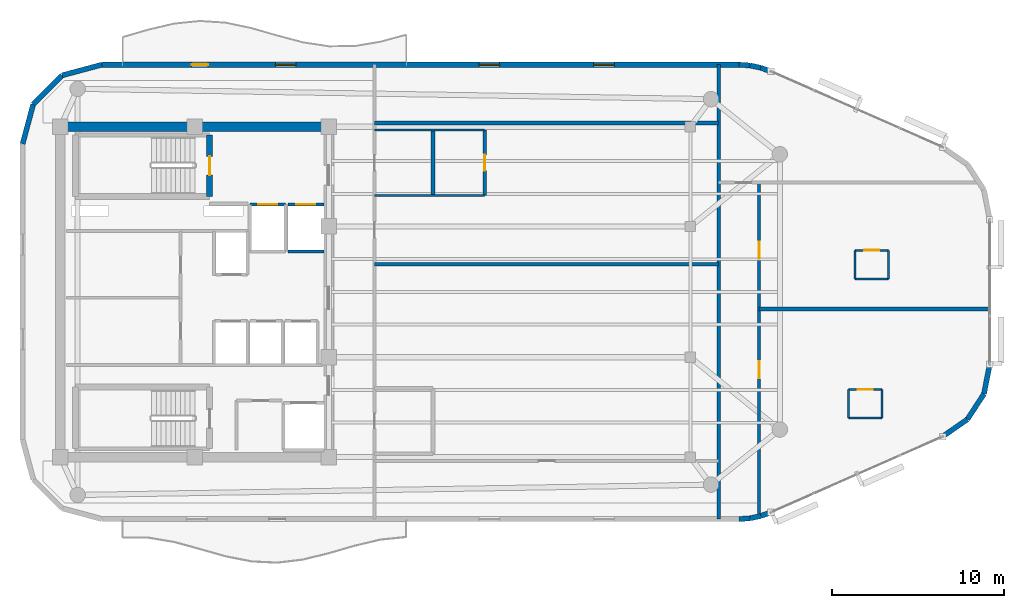
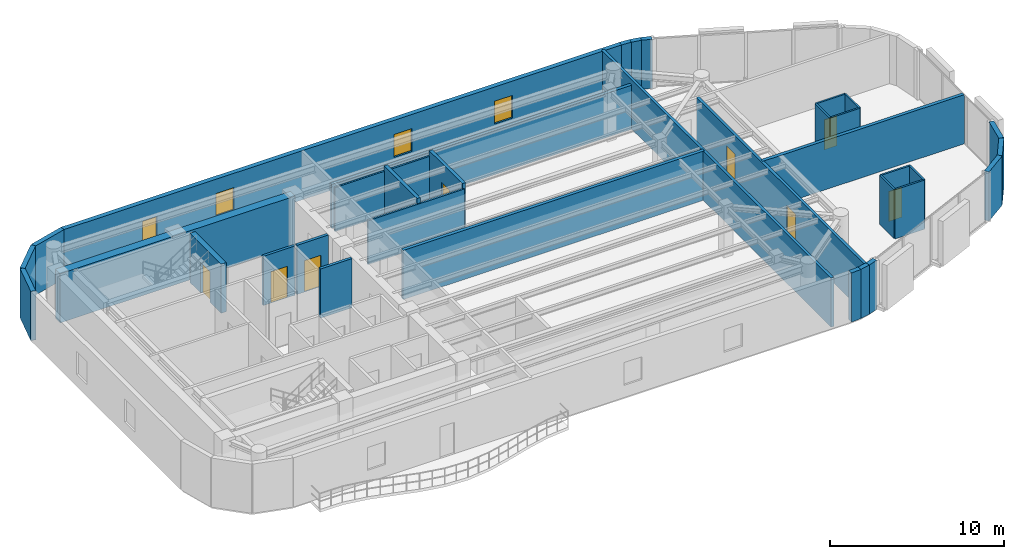
# One storey, part 9 of 12: 35 walls, 9 doors, 3 windows, 12 openings.
"""IFC4 building model written with IfcOpenShell, lengths in metres."""

from ifc_helpers import new_model, si_unit, direction, frame, frame_2d, origin, place, context, subcontext, project, spatial, rectangle, extrude, material, layer, layer_set, type_object, element, fill, save


model = new_model("IFC4")

# Units and contexts
model_context = context("Model", 3, precision=1e-05, world=origin(), true_north=direction((0.0, 1.0)))
body_context = subcontext(model_context, "Body", "Model", "MODEL_VIEW")
ifc_project = project(units=[si_unit("LENGTHUNIT", "METRE"), si_unit("AREAUNIT", "SQUARE_METRE"), si_unit("VOLUMEUNIT", "CUBIC_METRE"), si_unit("PLANEANGLEUNIT", "RADIAN"), si_unit("MASSUNIT", "GRAM", prefix="KILO")], contexts=[model_context])

# Site, building, storey
site_placement = place(None, origin())
site = spatial("IfcSite", under=ifc_project, at=site_placement, CompositionType="ELEMENT")
building_placement = place(site_placement, origin())
building = spatial("IfcBuilding", under=site, at=building_placement, Name="An Khanh Terracotta Commons", CompositionType="ELEMENT")
storey_placement = place(building_placement, frame((0.0, 0.0, 258.800048828125)))
storey = spatial("IfcBuildingStorey", under=building, at=storey_placement, Name="L67", CompositionType="ELEMENT", Elevation=258.800048828125)

# Wall
ifc_material_1 = material(Name="Concrete C50/60", Category="concrete")
ifc_layer_1 = layer(ifc_material_1, 0.550048828125, Name="Concrete C50/60")
ifc_layer_set_1 = layer_set([ifc_layer_1], Name="Concrete C50/60")
wall_type_1 = type_object("IfcWallType", Name="WALL-CORE-550", PredefinedType="SHEAR", material=ifc_layer_set_1)
wall_1_placement = place(storey_placement, frame((21.60009765625, 33.60009765625, 0.0), z_axis=(0.0, 0.0, 1.0), x_axis=(1.0, 0.0, 0.0)))
element("IfcWall", 1, at=wall_1_placement, inside=storey, type_object=wall_type_1, Name="L67 Core Wall CWALL-L67-N", PredefinedType="SHEAR", context=body_context, shape_type="SweptSolid", body=[
    extrude(rectangle(XDim=15.599853515625, YDim=0.550048828125, at=frame_2d((7.7998046875, 0.0))), origin(), (0.0, 0.0, 1.0), 3.449951171875),
])

# Wall, opening, door
ifc_material_2 = material(Name="Fire-Rated Gypsum Board on Steel Stud", Category="steel")
ifc_layer_2 = layer(ifc_material_2, 0.179931640625, Name="Fire-Rated Gypsum Board on Steel Stud")
ifc_layer_set_2 = layer_set([ifc_layer_2], Name="Fire-Rated Gypsum Board on Steel Stud")
wall_type_2 = type_object("IfcWallType", Name="WALL-CORR-180", PredefinedType="PARTITIONING", material=ifc_layer_set_2)
wall_2_placement = place(storey_placement, frame((32.60009765625, 29.080078125, 0.0), z_axis=(0.0, 0.0, 1.0), x_axis=(1.0, 0.0, 0.0)))
wall_2 = element("IfcWall", 2, at=wall_2_placement, inside=storey, type_object=wall_type_2, Name="L67 Core Wall LSH-L67-FFL-01-N", PredefinedType="PARTITIONING", context=body_context, shape_type="SweptSolid", body=[
    extrude(rectangle(XDim=2.079833984375, YDim=0.179931640625, at=frame_2d((1.0400390625, 0.0))), origin(), (0.0, 0.0, 1.0), 3.449951171875),
])
opening_1_placement = place(wall_2_placement, frame((0.489990234375, 0.0, 0.0)))
opening_1 = element("IfcOpeningElement", 3, at=opening_1_placement, cuts=wall_2, Name="Opening LD-FFL-01-L67", PredefinedType="OPENING", context=body_context, shape_type="SweptSolid", body=[
    extrude(rectangle(XDim=1.10009765625, YDim=2.199951171875, at=frame_2d((0.550048828125, 1.10009765625))), frame((0.0, 0.099853515625, 0.0), z_axis=(0.0, -1.0, 0.0), x_axis=(1.0, 0.0, 0.0)), (0.0, 0.0, 1.0), 0.199951171875),
])
ifc_material_3 = material(Name="Brushed Stainless Steel Fire Landing Door", Category="steel")
door_type_1 = type_object("IfcDoorType", Name="DOOR-LD-FFL-1100", OperationType="NOTDEFINED", PredefinedType="DOOR", material=ifc_material_3)
door_1_placement = place(opening_1_placement, origin())
door_1 = element("IfcDoor", 4, at=door_1_placement, inside=storey, type_object=door_type_1, Name="L67 Lift FFL-01 Sliding Landing Door", OperationType="DOUBLE_DOOR_SLIDING", OverallHeight=2.199951171875, OverallWidth=1.10009765625, PredefinedType="DOOR", context=body_context, shape_type="SweptSolid", body=[
    extrude(rectangle(XDim=1.10009765625, YDim=2.199951171875, at=frame_2d((0.550048828125, 1.10009765625))), frame((0.0, 0.02490234375, 0.0), z_axis=(0.0, -1.0, 0.0), x_axis=(1.0, 0.0, 0.0)), (0.0, 0.0, 1.0), 0.050048828125),
])
fill(opening_1, door_1)

wall_3_placement = place(storey_placement, frame((34.820068359375, 29.080078125, 0.0), z_axis=(0.0, 0.0, 1.0), x_axis=(1.0, 0.0, 0.0)))
wall_3 = element("IfcWall", 5, at=wall_3_placement, inside=storey, type_object=wall_type_2, Name="L67 Core Wall LSH-L67-FFL-02-N", PredefinedType="PARTITIONING", context=body_context, shape_type="SweptSolid", body=[
    extrude(rectangle(XDim=2.079833984375, YDim=0.179931640625, at=frame_2d((1.0400390625, 0.0))), origin(), (0.0, 0.0, 1.0), 3.449951171875),
])
opening_2_placement = place(wall_3_placement, frame((0.489990234375, 0.0, 0.0)))
opening_2 = element("IfcOpeningElement", 6, at=opening_2_placement, cuts=wall_3, Name="Opening LD-FFL-02-L67", PredefinedType="OPENING", context=body_context, shape_type="SweptSolid", body=[
    extrude(rectangle(XDim=1.10009765625, YDim=2.199951171875, at=frame_2d((0.550048828125, 1.10009765625))), frame((0.0, 0.099853515625, 0.0), z_axis=(0.0, -1.0, 0.0), x_axis=(1.0, 0.0, 0.0)), (0.0, 0.0, 1.0), 0.199951171875),
])
door_2_placement = place(opening_2_placement, origin())
door_2 = element("IfcDoor", 7, at=door_2_placement, inside=storey, type_object=door_type_1, Name="L67 Lift FFL-02 Sliding Landing Door", OperationType="DOUBLE_DOOR_SLIDING", OverallHeight=2.199951171875, OverallWidth=1.10009765625, PredefinedType="DOOR", context=body_context, shape_type="SweptSolid", body=[
    extrude(rectangle(XDim=1.10009765625, YDim=2.199951171875, at=frame_2d((0.550048828125, 1.10009765625))), frame((0.0, 0.02490234375, 0.0), z_axis=(0.0, -1.0, 0.0), x_axis=(1.0, 0.0, 0.0)), (0.0, 0.0, 1.0), 0.050048828125),
])
fill(opening_2, door_2)

# Walls
wall_4_placement = place(storey_placement, frame((36.89990234375, 26.35009765625, 0.0), z_axis=(0.0, 0.0, 1.0), x_axis=(-1.0, 0.0, 0.0)))
element("IfcWall", 8, at=wall_4_placement, inside=storey, type_object=wall_type_2, Name="L67 Core Wall LSH-L67-FFL-02-S", PredefinedType="PARTITIONING", context=body_context, shape_type="SweptSolid", body=[
    extrude(rectangle(XDim=2.079833984375, YDim=0.179931640625, at=frame_2d((1.0400390625, 0.0))), origin(), (0.0, 0.0, 1.0), 3.449951171875),
])
wall_5_placement = place(storey_placement, frame((59.85009765625, 10.800048828125, 0.0), z_axis=(0.0, 0.0, 1.0), x_axis=(0.0, 1.0, 0.0)))
element("IfcWall", 9, at=wall_5_placement, inside=storey, type_object=wall_type_2, Name="L67 Interior Partition IW-L67-E014", PredefinedType="PARTITIONING", context=body_context, shape_type="SweptSolid", body=[
    extrude(rectangle(XDim=26.39990234375, YDim=0.179931640625, at=frame_2d((13.199951171875, 0.0))), origin(), (0.0, 0.0, 1.0), 3.449951171875),
])

# Wall, openings, doors
wall_6_placement = place(storey_placement, frame((62.199951171875, 11.1201171875, 0.0), z_axis=(0.0, 0.0, 1.0), x_axis=(0.0, 1.0, 0.0)))
wall_6 = element("IfcWall", 10, at=wall_6_placement, inside=storey, type_object=wall_type_2, Name="L67 Interior Partition IW-L67-E015", PredefinedType="PARTITIONING", context=body_context, shape_type="SweptSolid", body=[
    extrude(rectangle(XDim=19.22998046875, YDim=0.179931640625, at=frame_2d((9.614990234375, 0.0))), origin(), (0.0, 0.0, 1.0), 3.449951171875),
])
opening_3_placement = place(wall_6_placement, frame((14.794921875, 0.0, 0.0)))
opening_3 = element("IfcOpeningElement", 11, at=opening_3_placement, cuts=wall_6, Name="Opening D-UN", PredefinedType="OPENING", context=body_context, shape_type="SweptSolid", body=[
    extrude(rectangle(XDim=1.0, YDim=2.14990234375, at=frame_2d((0.5, 1.074951171875))), frame((0.0, 0.099853515625, 0.0), z_axis=(0.0, -1.0, 0.0), x_axis=(1.0, 0.0, 0.0)), (0.0, 0.0, 1.0), 0.199951171875),
])
opening_4_placement = place(wall_6_placement, frame((7.85595703125, 0.0, 0.0)))
opening_4 = element("IfcOpeningElement", 12, at=opening_4_placement, cuts=wall_6, Name="Opening D-UN", PredefinedType="OPENING", context=body_context, shape_type="SweptSolid", body=[
    extrude(rectangle(XDim=1.0, YDim=2.14990234375, at=frame_2d((0.5, 1.074951171875))), frame((0.0, 0.099853515625, 0.0), z_axis=(0.0, -1.0, 0.0), x_axis=(1.0, 0.0, 0.0)), (0.0, 0.0, 1.0), 0.199951171875),
])
ifc_material_4 = material(Name="Solid-Core Hardwood Acoustic Fire Door", Category="wood")
door_type_2 = type_object("IfcDoorType", Name="DOOR-UNIT-1000", OperationType="NOTDEFINED", PredefinedType="DOOR", material=ifc_material_4)
door_3_placement = place(opening_3_placement, origin())
door_3 = element("IfcDoor", 13, at=door_3_placement, inside=storey, type_object=door_type_2, Name="L67 ENO1 Kitchenette and Studio Apartment Door", OperationType="SINGLE_SWING_RIGHT", OverallHeight=2.14990234375, OverallWidth=1.0, PredefinedType="DOOR", context=body_context, shape_type="SweptSolid", body=[
    extrude(rectangle(XDim=1.0, YDim=2.14990234375, at=frame_2d((0.5, 1.074951171875))), frame((0.0, 0.02490234375, 0.0), z_axis=(0.0, -1.0, 0.0), x_axis=(1.0, 0.0, 0.0)), (0.0, 0.0, 1.0), 0.050048828125),
])
fill(opening_3, door_3)
door_4_placement = place(opening_4_placement, origin())
door_4 = element("IfcDoor", 14, at=door_4_placement, inside=storey, type_object=door_type_2, Name="L67 ENO2 Kitchenette and Studio Apartment Door", OperationType="SINGLE_SWING_LEFT", OverallHeight=2.14990234375, OverallWidth=1.0, PredefinedType="DOOR", context=body_context, shape_type="SweptSolid", body=[
    extrude(rectangle(XDim=1.0, YDim=2.14990234375, at=frame_2d((0.5, 1.074951171875))), frame((0.0, 0.02490234375, 0.0), z_axis=(0.0, -1.0, 0.0), x_axis=(1.0, 0.0, 0.0)), (0.0, 0.0, 1.0), 0.050048828125),
])
fill(opening_4, door_4)

# Walls
ifc_material_5 = material(Name="Precast concrete C40/50", Category="concrete")
ifc_layer_3 = layer(ifc_material_5, 0.300048828125, Name="Precast concrete C40/50")
ifc_layer_set_3 = layer_set([ifc_layer_3], Name="Precast concrete C40/50")
wall_type_3 = type_object("IfcWallType", Name="WALL-EXT-300", PredefinedType="SOLIDWALL", material=ifc_layer_set_3)
wall_7_placement = place(storey_placement, frame((61.030029296875, 10.800048828125, 0.0), z_axis=(0.0, 0.0, 1.0), x_axis=(0.997613959688, 0.069039028352, 0.0)))
element("IfcWall", 15, at=wall_7_placement, inside=storey, type_object=wall_type_3, Name="L67 Insulated Terracotta Exterior Wall 5", PredefinedType="SOLIDWALL", context=body_context, shape_type="SweptSolid", body=[
    extrude(rectangle(XDim=0.636474609375, YDim=0.300048828125, at=frame_2d((0.318359375, 0.0))), origin(), (0.0, 0.0, 1.0), 3.449951171875),
])
wall_8_placement = place(storey_placement, frame((61.6650390625, 10.843994140625, 0.0), z_axis=(0.0, 0.0, 1.0), x_axis=(0.97857012251, 0.205913854149, 0.0)))
element("IfcWall", 16, at=wall_8_placement, inside=storey, type_object=wall_type_3, Name="L67 Insulated Terracotta Exterior Wall 6", PredefinedType="SOLIDWALL", context=body_context, shape_type="SweptSolid", body=[
    extrude(rectangle(XDim=0.63671875, YDim=0.300048828125, at=frame_2d((0.318359375, 0.0))), origin(), (0.0, 0.0, 1.0), 3.449951171875),
])
wall_9_placement = place(storey_placement, frame((62.2880859375, 10.97509765625, 0.0), z_axis=(0.0, 0.0, 1.0), x_axis=(0.94077491148, 0.339031806665, 0.0)))
element("IfcWall", 17, at=wall_9_placement, inside=storey, type_object=wall_type_3, Name="L67 Insulated Terracotta Exterior Wall 7", PredefinedType="SOLIDWALL", context=body_context, shape_type="SweptSolid", body=[
    extrude(rectangle(XDim=0.636474609375, YDim=0.300048828125, at=frame_2d((0.318359375, 0.0))), origin(), (0.0, 0.0, 1.0), 3.449951171875),
])
wall_10_placement = place(storey_placement, frame((72.85693359375, 15.590087890625, 0.0), z_axis=(0.0, 0.0, 1.0), x_axis=(0.821006966142, 0.570918174124, 0.0)))
element("IfcWall", 18, at=wall_10_placement, inside=storey, type_object=wall_type_3, Name="L67 Insulated Terracotta Exterior Wall 9", PredefinedType="SOLIDWALL", context=body_context, shape_type="SweptSolid", body=[
    extrude(rectangle(XDim=1.760009765625, YDim=0.300048828125, at=frame_2d((0.8798828125, 0.0))), origin(), (0.0, 0.0, 1.0), 3.449951171875),
])
for number, where, z_axis, x_axis, name in (
    (19, (74.302001953125, 16.594970703125, 0.0), (0.0, 0.0, 1.0), (0.545836224831, 0.837891887813, 0.0), "L67 Insulated Terracotta Exterior Wall 10"),
    (20, (75.262939453125, 18.070068359375, 0.0), (0.0, 0.0, 1.0), (0.1915005851, 0.981492499159, 0.0), "L67 Insulated Terracotta Exterior Wall 11"),
):
    element("IfcWall", number, at=place(storey_placement, frame(where, z_axis=z_axis, x_axis=x_axis)), inside=storey, type_object=wall_type_3, Name=name, PredefinedType="SOLIDWALL", context=body_context, shape_type="SweptSolid", body=[
        extrude(rectangle(XDim=1.760498046875, YDim=0.300048828125, at=frame_2d((0.88037109375, 0.0))), origin(), (0.0, 0.0, 1.0), 3.449951171875),
    ])
wall_11_placement = place(storey_placement, frame((62.886962890625, 36.80908203125, 0.0), z_axis=(0.0, 0.0, 1.0), x_axis=(-0.94077491148, 0.339031806665, 0.0)))
element("IfcWall", 21, at=wall_11_placement, inside=storey, type_object=wall_type_3, Name="L67 Insulated Terracotta Exterior Wall 17", PredefinedType="SOLIDWALL", context=body_context, shape_type="SweptSolid", body=[
    extrude(rectangle(XDim=0.636474609375, YDim=0.300048828125, at=frame_2d((0.318359375, 0.0))), origin(), (0.0, 0.0, 1.0), 3.449951171875),
])
wall_12_placement = place(storey_placement, frame((62.2880859375, 37.02490234375, 0.0), z_axis=(0.0, 0.0, 1.0), x_axis=(-0.97857012251, 0.205913854149, 0.0)))
element("IfcWall", 22, at=wall_12_placement, inside=storey, type_object=wall_type_3, Name="L67 Insulated Terracotta Exterior Wall 18", PredefinedType="SOLIDWALL", context=body_context, shape_type="SweptSolid", body=[
    extrude(rectangle(XDim=0.63671875, YDim=0.300048828125, at=frame_2d((0.318359375, 0.0))), origin(), (0.0, 0.0, 1.0), 3.449951171875),
])
wall_13_placement = place(storey_placement, frame((61.6650390625, 37.156005859375, 0.0), z_axis=(0.0, 0.0, 1.0), x_axis=(-0.997613959688, 0.069039028352, 0.0)))
element("IfcWall", 23, at=wall_13_placement, inside=storey, type_object=wall_type_3, Name="L67 Insulated Terracotta Exterior Wall 19", PredefinedType="SOLIDWALL", context=body_context, shape_type="SweptSolid", body=[
    extrude(rectangle(XDim=0.636474609375, YDim=0.300048828125, at=frame_2d((0.318359375, 0.0))), origin(), (0.0, 0.0, 1.0), 3.449951171875),
])

# Wall, openings, door, windows
wall_14_placement = place(storey_placement, frame((61.030029296875, 37.199951171875, 0.0), z_axis=(0.0, 0.0, 1.0), x_axis=(-1.0, 0.0, 0.0)))
wall_14 = element("IfcWall", 24, at=wall_14_placement, inside=storey, type_object=wall_type_3, Name="L67 Insulated Terracotta Exterior Wall 20", PredefinedType="SOLIDWALL", context=body_context, shape_type="SweptSolid", body=[
    extrude(rectangle(XDim=37.030029296875, YDim=0.300048828125, at=frame_2d((18.51513671875, 0.0))), origin(), (0.0, 0.0, 1.0), 3.449951171875),
])
opening_5_placement = place(wall_14_placement, frame((30.85498046875, 0.0, 0.0)))
opening_5 = element("IfcOpeningElement", 25, at=opening_5_placement, cuts=wall_14, Name="Opening D-BAL", PredefinedType="OPENING", context=body_context, shape_type="SweptSolid", body=[
    extrude(rectangle(XDim=0.949951171875, YDim=2.199951171875, at=frame_2d((0.47509765625, 1.10009765625))), frame((0.0, 0.159912109375, 0.0), z_axis=(0.0, -1.0, 0.0), x_axis=(1.0, 0.0, 0.0)), (0.0, 0.0, 1.0), 0.320068359375),
])
opening_6_placement = place(wall_14_placement, frame((7.2470703125, 0.0, 0.85009765625)))
opening_6 = element("IfcOpeningElement", 26, at=opening_6_placement, cuts=wall_14, Name="Opening W-05", PredefinedType="OPENING", context=body_context, shape_type="SweptSolid", body=[
    extrude(rectangle(XDim=1.199951171875, YDim=1.60009765625, at=frame_2d((0.60009765625, 0.800048828125))), frame((0.0, 0.159912109375, 0.0), z_axis=(0.0, -1.0, 0.0), x_axis=(1.0, 0.0, 0.0)), (0.0, 0.0, 1.0), 0.320068359375),
])
opening_7_placement = place(wall_14_placement, frame((13.9130859375, 0.0, 0.85009765625)))
opening_7 = element("IfcOpeningElement", 27, at=opening_7_placement, cuts=wall_14, Name="Opening W-05", PredefinedType="OPENING", context=body_context, shape_type="SweptSolid", body=[
    extrude(rectangle(XDim=1.199951171875, YDim=1.60009765625, at=frame_2d((0.60009765625, 0.800048828125))), frame((0.0, 0.159912109375, 0.0), z_axis=(0.0, -1.0, 0.0), x_axis=(1.0, 0.0, 0.0)), (0.0, 0.0, 1.0), 0.320068359375),
])
opening_8_placement = place(wall_14_placement, frame((25.7470703125, 0.0, 0.85009765625)))
opening_8 = element("IfcOpeningElement", 28, at=opening_8_placement, cuts=wall_14, Name="Opening W-05", PredefinedType="OPENING", context=body_context, shape_type="SweptSolid", body=[
    extrude(rectangle(XDim=1.199951171875, YDim=1.60009765625, at=frame_2d((0.60009765625, 0.800048828125))), frame((0.0, 0.159912109375, 0.0), z_axis=(0.0, -1.0, 0.0), x_axis=(1.0, 0.0, 0.0)), (0.0, 0.0, 1.0), 0.320068359375),
])
ifc_material_6 = material(Name="Thermally Broken Aluminium and Low-E Glass", Category="aluminium")
door_type_3 = type_object("IfcDoorType", Name="DOOR-BALC-950", OperationType="NOTDEFINED", PredefinedType="DOOR", material=ifc_material_6)
door_5_placement = place(opening_5_placement, origin())
door_5 = element("IfcDoor", 29, at=door_5_placement, inside=storey, type_object=door_type_3, Name="L67 N Wave Balcony Glazed Door", OperationType="SINGLE_SWING_RIGHT", OverallHeight=2.199951171875, OverallWidth=0.949951171875, PredefinedType="DOOR", context=body_context, shape_type="SweptSolid", body=[
    extrude(rectangle(XDim=0.949951171875, YDim=2.199951171875, at=frame_2d((0.47509765625, 1.10009765625))), frame((0.0, 0.02490234375, 0.0), z_axis=(0.0, -1.0, 0.0), x_axis=(1.0, 0.0, 0.0)), (0.0, 0.0, 1.0), 0.050048828125),
])
fill(opening_5, door_5)
window_type = type_object("IfcWindowType", Name="WIN-Z5-1200x1600", PartitioningType="SINGLE_PANEL", PredefinedType="WINDOW", material=ifc_material_6)
window_1_placement = place(opening_6_placement, origin())
window_1 = element("IfcWindow", 30, at=window_1_placement, inside=storey, type_object=window_type, Name="L67 Operable Casement Window 20.1", OverallHeight=1.60009765625, OverallWidth=1.199951171875, PartitioningType="SINGLE_PANEL", PredefinedType="WINDOW", context=body_context, shape_type="SweptSolid", body=[
    extrude(rectangle(XDim=1.199951171875, YDim=1.60009765625, at=frame_2d((0.60009765625, 0.800048828125))), frame((0.0, 0.030029296875, 0.0), z_axis=(0.0, -1.0, 0.0), x_axis=(1.0, 0.0, 0.0)), (0.0, 0.0, 1.0), 0.06005859375),
])
fill(opening_6, window_1)
window_2_placement = place(opening_7_placement, origin())
window_2 = element("IfcWindow", 31, at=window_2_placement, inside=storey, type_object=window_type, Name="L67 Operable Casement Window 20.2", OverallHeight=1.60009765625, OverallWidth=1.199951171875, PartitioningType="SINGLE_PANEL", PredefinedType="WINDOW", context=body_context, shape_type="SweptSolid", body=[
    extrude(rectangle(XDim=1.199951171875, YDim=1.60009765625, at=frame_2d((0.60009765625, 0.800048828125))), frame((0.0, 0.030029296875, 0.0), z_axis=(0.0, -1.0, 0.0), x_axis=(1.0, 0.0, 0.0)), (0.0, 0.0, 1.0), 0.06005859375),
])
fill(opening_7, window_2)
window_3_placement = place(opening_8_placement, origin())
window_3 = element("IfcWindow", 32, at=window_3_placement, inside=storey, type_object=window_type, Name="L67 Operable Casement Window 20.3", OverallHeight=1.60009765625, OverallWidth=1.199951171875, PartitioningType="SINGLE_PANEL", PredefinedType="WINDOW", context=body_context, shape_type="SweptSolid", body=[
    extrude(rectangle(XDim=1.199951171875, YDim=1.60009765625, at=frame_2d((0.60009765625, 0.800048828125))), frame((0.0, 0.030029296875, 0.0), z_axis=(0.0, -1.0, 0.0), x_axis=(1.0, 0.0, 0.0)), (0.0, 0.0, 1.0), 0.06005859375),
])
fill(opening_8, window_3)

# Walls
wall_15_placement = place(storey_placement, frame((24.0, 37.199951171875, 0.0), z_axis=(0.0, 0.0, 1.0), x_axis=(-0.965960405575, -0.25868995895, 0.0)))
element("IfcWall", 33, at=wall_15_placement, inside=storey, type_object=wall_type_3, Name="L67 Insulated Terracotta Exterior Wall 21", PredefinedType="SOLIDWALL", context=body_context, shape_type="SweptSolid", body=[
    extrude(rectangle(XDim=2.381103515625, YDim=0.300048828125, at=frame_2d((1.1904296875, 0.0))), origin(), (0.0, 0.0, 1.0), 3.449951171875),
])
wall_16_placement = place(storey_placement, frame((21.699951171875, 36.583984375, 0.0), z_axis=(0.0, 0.0, 1.0), x_axis=(-0.707055521135, -0.707158037522, 0.0)))
element("IfcWall", 34, at=wall_16_placement, inside=storey, type_object=wall_type_3, Name="L67 Insulated Terracotta Exterior Wall 22", PredefinedType="SOLIDWALL", context=body_context, shape_type="SweptSolid", body=[
    extrude(rectangle(XDim=2.381591796875, YDim=0.300048828125, at=frame_2d((1.19091796875, 0.0))), origin(), (0.0, 0.0, 1.0), 3.449951171875),
])
wall_17_placement = place(storey_placement, frame((20.01611328125, 34.89990234375, 0.0), z_axis=(0.0, 0.0, 1.0), x_axis=(-0.258811258154, -0.965927912762, 0.0)))
element("IfcWall", 35, at=wall_17_placement, inside=storey, type_object=wall_type_3, Name="L67 Insulated Terracotta Exterior Wall 23", PredefinedType="SOLIDWALL", context=body_context, shape_type="SweptSolid", body=[
    extrude(rectangle(XDim=2.380859375, YDim=0.300048828125, at=frame_2d((1.1904296875, 0.0))), origin(), (0.0, 0.0, 1.0), 3.449951171875),
])
ifc_material_7 = material(Name="Acoustic Double-Stud Gypsum and Mineral Wool")
ifc_layer_4 = layer(ifc_material_7, 0.219970703125, Name="Acoustic Double-Stud Gypsum and Mineral Wool")
ifc_layer_set_4 = layer_set([ifc_layer_4], Name="Acoustic Double-Stud Gypsum and Mineral Wool")
wall_type_4 = type_object("IfcWallType", Name="WALL-PARTY-220", PredefinedType="PARTITIONING", material=ifc_layer_set_4)
wall_18_placement = place(storey_placement, frame((62.199951171875, 23.0, 0.0), z_axis=(0.0, 0.0, 1.0), x_axis=(1.0, 0.0, 0.0)))
element("IfcWall", 36, at=wall_18_placement, inside=storey, type_object=wall_type_4, Name="L67 Interior Partition IW-L67-E004", PredefinedType="PARTITIONING", context=body_context, shape_type="SweptSolid", body=[
    extrude(rectangle(XDim=13.400146484375, YDim=0.219970703125, at=frame_2d((6.7001953125, 0.0))), origin(), (0.0, 0.0, 1.0), 3.449951171875),
])
wall_19_placement = place(storey_placement, frame((39.85009765625, 25.60009765625, 0.0), z_axis=(0.0, 0.0, 1.0), x_axis=(1.0, 0.0, 0.0)))
element("IfcWall", 37, at=wall_19_placement, inside=storey, type_object=wall_type_4, Name="L67 Interior Partition IW-L67-E005", PredefinedType="PARTITIONING", context=body_context, shape_type="SweptSolid", body=[
    extrude(rectangle(XDim=20.0, YDim=0.219970703125, at=frame_2d((10.0, 0.0))), origin(), (0.0, 0.0, 1.0), 3.449951171875),
])
wall_20_placement = place(storey_placement, frame((39.85009765625, 33.820068359375, 0.0), z_axis=(0.0, 0.0, 1.0), x_axis=(1.0, 0.0, 0.0)))
element("IfcWall", 38, at=wall_20_placement, inside=storey, type_object=wall_type_4, Name="L67 Interior Partition IW-L67-E009", PredefinedType="PARTITIONING", context=body_context, shape_type="SweptSolid", body=[
    extrude(rectangle(XDim=20.0, YDim=0.219970703125, at=frame_2d((10.0, 0.0))), origin(), (0.0, 0.0, 1.0), 3.092041015625),
])
wall_21_placement = place(storey_placement, frame((43.25, 29.60009765625, 0.0), z_axis=(0.0, 0.0, 1.0), x_axis=(0.0, 1.0, 0.0)))
element("IfcWall", 39, at=wall_21_placement, inside=storey, type_object=wall_type_4, Name="L67 Interior Partition IW-L67-E012", PredefinedType="PARTITIONING", context=body_context, shape_type="SweptSolid", body=[
    extrude(rectangle(XDim=3.7998046875, YDim=0.219970703125, at=frame_2d((1.89990234375, 0.0))), origin(), (0.0, 0.0, 1.0), 3.449951171875),
])

# Wall, opening, door
wall_22_placement = place(storey_placement, frame((46.25, 29.60009765625, 0.0), z_axis=(0.0, 0.0, 1.0), x_axis=(0.0, 1.0, 0.0)))
wall_22 = element("IfcWall", 40, at=wall_22_placement, inside=storey, type_object=wall_type_4, Name="L67 Interior Partition IW-L67-E013", PredefinedType="PARTITIONING", context=body_context, shape_type="SweptSolid", body=[
    extrude(rectangle(XDim=3.7998046875, YDim=0.219970703125, at=frame_2d((1.89990234375, 0.0))), origin(), (0.0, 0.0, 1.0), 3.449951171875),
])
opening_9_placement = place(wall_22_placement, frame((1.43994140625, 0.0, 0.0)))
opening_9 = element("IfcOpeningElement", 41, at=opening_9_placement, cuts=wall_22, Name="Opening D-RM", PredefinedType="OPENING", context=body_context, shape_type="SweptSolid", body=[
    extrude(rectangle(XDim=0.919921875, YDim=2.10009765625, at=frame_2d((0.4599609375, 1.050048828125))), frame((0.0, 0.119873046875, 0.0), z_axis=(0.0, -1.0, 0.0), x_axis=(1.0, 0.0, 0.0)), (0.0, 0.0, 1.0), 0.239990234375),
])
ifc_material_8 = material(Name="Engineered Hardwood Timber Leaf", Category="wood")
door_type_4 = type_object("IfcDoorType", Name="DOOR-INT-920", OperationType="NOTDEFINED", PredefinedType="DOOR", material=ifc_material_8)
door_6_placement = place(opening_9_placement, origin())
door_6 = element("IfcDoor", 42, at=door_6_placement, inside=storey, type_object=door_type_4, Name="L67 HKP Housekeeping Linen Store Door", OperationType="SINGLE_SWING_RIGHT", OverallHeight=2.10009765625, OverallWidth=0.919921875, PredefinedType="DOOR", context=body_context, shape_type="SweptSolid", body=[
    extrude(rectangle(XDim=0.919921875, YDim=2.10009765625, at=frame_2d((0.4599609375, 1.050048828125))), frame((0.0, 0.02490234375, 0.0), z_axis=(0.0, -1.0, 0.0), x_axis=(1.0, 0.0, 0.0)), (0.0, 0.0, 1.0), 0.050048828125),
])
fill(opening_9, door_6)

ifc_layer_5 = layer(ifc_material_1, 0.35009765625, Name="Concrete C50/60")
ifc_layer_set_5 = layer_set([ifc_layer_5], Name="Concrete C50/60")
wall_type_5 = type_object("IfcWallType", Name="WALL-SHAFT-350", PredefinedType="SOLIDWALL", material=ifc_layer_set_5)
wall_23_placement = place(storey_placement, frame((30.27001953125, 29.530029296875, 0.0), z_axis=(0.0, 0.0, 1.0), x_axis=(0.0, 1.0, 0.0)))
wall_23 = element("IfcWall", 43, at=wall_23_placement, inside=storey, type_object=wall_type_5, Name="L67 Core Wall STW-L67-N-E", PredefinedType="SOLIDWALL", context=body_context, shape_type="SweptSolid", body=[
    extrude(rectangle(XDim=3.580078125, YDim=0.35009765625, at=frame_2d((1.7900390625, 0.0))), origin(), (0.0, 0.0, 1.0), 3.449951171875),
])
opening_10_placement = place(wall_23_placement, frame((1.25, 0.0, 0.0)))
opening_10 = element("IfcOpeningElement", 44, at=opening_10_placement, cuts=wall_23, Name="Opening D-ST", PredefinedType="OPENING", context=body_context, shape_type="SweptSolid", body=[
    extrude(rectangle(XDim=1.10009765625, YDim=2.14990234375, at=frame_2d((0.550048828125, 1.074951171875))), frame((0.0, 0.18505859375, 0.0), z_axis=(0.0, -1.0, 0.0), x_axis=(1.0, 0.0, 0.0)), (0.0, 0.0, 1.0), 0.3701171875),
])
ifc_material_9 = material(Name="Fire-Rated Steel Leaf and Frame", Category="steel")
door_type_5 = type_object("IfcDoorType", Name="DOOR-STAIR-1100", OperationType="NOTDEFINED", PredefinedType="DOOR", material=ifc_material_9)
door_7_placement = place(opening_10_placement, origin())
door_7 = element("IfcDoor", 45, at=door_7_placement, inside=storey, type_object=door_type_5, Name="L67 Stair ST-01 Fire Door", OperationType="SINGLE_SWING_RIGHT", OverallHeight=2.14990234375, OverallWidth=1.10009765625, PredefinedType="DOOR", context=body_context, shape_type="SweptSolid", body=[
    extrude(rectangle(XDim=1.10009765625, YDim=2.14990234375, at=frame_2d((0.550048828125, 1.074951171875))), frame((0.0, 0.02490234375, 0.0), z_axis=(0.0, -1.0, 0.0), x_axis=(1.0, 0.0, 0.0)), (0.0, 0.0, 1.0), 0.050048828125),
])
fill(opening_10, door_7)

ifc_material_10 = material(Name="Moisture-Resistant Cement Board Partition")
ifc_layer_6 = layer(ifc_material_10, 0.1201171875, Name="Moisture-Resistant Cement Board Partition")
ifc_layer_set_6 = layer_set([ifc_layer_6], Name="Moisture-Resistant Cement Board Partition")
wall_type_6 = type_object("IfcWallType", Name="WALL-WET-120", PredefinedType="PARTITIONING", material=ifc_layer_set_6)
wall_24_placement = place(storey_placement, frame((67.764892578125, 26.410888671875, 0.0), z_axis=(0.0, 0.0, 1.0), x_axis=(1.0, 0.0, 0.0)))
wall_24 = element("IfcWall", 46, at=wall_24_placement, inside=storey, type_object=wall_type_6, Name="L67 Interior Partition IW-L67-ENO1-BN", PredefinedType="PARTITIONING", context=body_context, shape_type="SweptSolid", body=[
    extrude(rectangle(XDim=1.9501953125, YDim=0.1201171875, at=frame_2d((0.97509765625, 0.0))), origin(), (0.0, 0.0, 1.0), 3.449951171875),
])
opening_11_placement = place(wall_24_placement, frame((0.544921875, 0.0, 0.0)))
opening_11 = element("IfcOpeningElement", 47, at=opening_11_placement, cuts=wall_24, Name="Opening D-ENS", PredefinedType="OPENING", context=body_context, shape_type="SweptSolid", body=[
    extrude(rectangle(XDim=0.860107421875, YDim=2.10009765625, at=frame_2d((0.43017578125, 1.050048828125))), frame((0.0, 0.070068359375, 0.0), z_axis=(0.0, -1.0, 0.0), x_axis=(1.0, 0.0, 0.0)), (0.0, 0.0, 1.0), 0.14013671875),
])
ifc_material_11 = material(Name="Moisture-Resistant Hardwood Timber Leaf", Category="wood")
door_type_6 = type_object("IfcDoorType", Name="DOOR-BATH-860", OperationType="NOTDEFINED", PredefinedType="DOOR", material=ifc_material_11)
door_8_placement = place(opening_11_placement, origin())
door_8 = element("IfcDoor", 48, at=door_8_placement, inside=storey, type_object=door_type_6, Name="L67 Studio ENO1 En-suite Door", OperationType="SINGLE_SWING_LEFT", OverallHeight=2.10009765625, OverallWidth=0.860107421875, PredefinedType="DOOR", context=body_context, shape_type="SweptSolid", body=[
    extrude(rectangle(XDim=0.860107421875, YDim=2.10009765625, at=frame_2d((0.43017578125, 1.050048828125))), frame((0.0, 0.02490234375, 0.0), z_axis=(0.0, -1.0, 0.0), x_axis=(1.0, 0.0, 0.0)), (0.0, 0.0, 1.0), 0.050048828125),
])
fill(opening_11, door_8)

# Walls
wall_25_placement = place(storey_placement, frame((69.715087890625, 24.760986328125, 0.0), z_axis=(0.0, 0.0, 1.0), x_axis=(-1.0, 0.0, 0.0)))
element("IfcWall", 49, at=wall_25_placement, inside=storey, type_object=wall_type_6, Name="L67 Interior Partition IW-L67-ENO1-BS", PredefinedType="PARTITIONING", context=body_context, shape_type="SweptSolid", body=[
    extrude(rectangle(XDim=1.9501953125, YDim=0.1201171875, at=frame_2d((0.97509765625, 0.0))), origin(), (0.0, 0.0, 1.0), 3.449951171875),
])
for number, where, z_axis, x_axis, name in (
    (50, (67.764892578125, 26.410888671875, 0.0), (0.0, 0.0, 1.0), (0.0, -1.0, 0.0), "L67 Interior Partition IW-L67-ENO1-BW"),
    (51, (69.715087890625, 24.760986328125, 0.0), (0.0, 0.0, 1.0), (0.0, 1.0, 0.0), "L67 Interior Partition IW-L67-ENO1-BE"),
):
    element("IfcWall", number, at=place(storey_placement, frame(where, z_axis=z_axis, x_axis=x_axis)), inside=storey, type_object=wall_type_6, Name=name, PredefinedType="PARTITIONING", context=body_context, shape_type="SweptSolid", body=[
        extrude(rectangle(XDim=1.64990234375, YDim=0.1201171875, at=frame_2d((0.824951171875, 0.0))), origin(), (0.0, 0.0, 1.0), 3.449951171875),
    ])

# Wall, opening, door
wall_26_placement = place(storey_placement, frame((67.382080078125, 18.33203125, 0.0), z_axis=(0.0, 0.0, 1.0), x_axis=(1.0, 0.0, 0.0)))
wall_26 = element("IfcWall", 52, at=wall_26_placement, inside=storey, type_object=wall_type_6, Name="L67 Interior Partition IW-L67-ENO2-BN", PredefinedType="PARTITIONING", context=body_context, shape_type="SweptSolid", body=[
    extrude(rectangle(XDim=1.949951171875, YDim=0.1201171875, at=frame_2d((0.97509765625, 0.0))), origin(), (0.0, 0.0, 1.0), 3.449951171875),
])
opening_12_placement = place(wall_26_placement, frame((0.544921875, 0.0, 0.0)))
opening_12 = element("IfcOpeningElement", 53, at=opening_12_placement, cuts=wall_26, Name="Opening D-ENS", PredefinedType="OPENING", context=body_context, shape_type="SweptSolid", body=[
    extrude(rectangle(XDim=0.860107421875, YDim=2.10009765625, at=frame_2d((0.43017578125, 1.050048828125))), frame((0.0, 0.070068359375, 0.0), z_axis=(0.0, -1.0, 0.0), x_axis=(1.0, 0.0, 0.0)), (0.0, 0.0, 1.0), 0.14013671875),
])
door_9_placement = place(opening_12_placement, origin())
door_9 = element("IfcDoor", 54, at=door_9_placement, inside=storey, type_object=door_type_6, Name="L67 Studio ENO2 En-suite Door", OperationType="SINGLE_SWING_RIGHT", OverallHeight=2.10009765625, OverallWidth=0.860107421875, PredefinedType="DOOR", context=body_context, shape_type="SweptSolid", body=[
    extrude(rectangle(XDim=0.860107421875, YDim=2.10009765625, at=frame_2d((0.43017578125, 1.050048828125))), frame((0.0, 0.02490234375, 0.0), z_axis=(0.0, -1.0, 0.0), x_axis=(1.0, 0.0, 0.0)), (0.0, 0.0, 1.0), 0.050048828125),
])
fill(opening_12, door_9)

# Walls
wall_27_placement = place(storey_placement, frame((69.33203125, 16.681884765625, 0.0), z_axis=(0.0, 0.0, 1.0), x_axis=(-1.0, 0.0, 0.0)))
element("IfcWall", 55, at=wall_27_placement, inside=storey, type_object=wall_type_6, Name="L67 Interior Partition IW-L67-ENO2-BS", PredefinedType="PARTITIONING", context=body_context, shape_type="SweptSolid", body=[
    extrude(rectangle(XDim=1.949951171875, YDim=0.1201171875, at=frame_2d((0.97509765625, 0.0))), origin(), (0.0, 0.0, 1.0), 3.449951171875),
])
for number, where, z_axis, x_axis, name in (
    (56, (67.382080078125, 18.33203125, 0.0), (0.0, 0.0, 1.0), (0.0, -1.0, 0.0), "L67 Interior Partition IW-L67-ENO2-BW"),
    (57, (69.33203125, 16.681884765625, 0.0), (0.0, 0.0, 1.0), (0.0, 1.0, 0.0), "L67 Interior Partition IW-L67-ENO2-BE"),
):
    element("IfcWall", number, at=place(storey_placement, frame(where, z_axis=z_axis, x_axis=x_axis)), inside=storey, type_object=wall_type_6, Name=name, PredefinedType="PARTITIONING", context=body_context, shape_type="SweptSolid", body=[
        extrude(rectangle(XDim=1.650146484375, YDim=0.1201171875, at=frame_2d((0.8251953125, 0.0))), origin(), (0.0, 0.0, 1.0), 3.449951171875),
    ])
wall_28_placement = place(storey_placement, frame((39.85009765625, 29.60009765625, 0.0), z_axis=(0.0, 0.0, 1.0), x_axis=(1.0, 0.0, 0.0)))
element("IfcWall", 58, at=wall_28_placement, inside=storey, type_object=wall_type_6, Name="L67 Interior Partition IW-L67-E006", PredefinedType="PARTITIONING", context=body_context, shape_type="SweptSolid", body=[
    extrude(rectangle(XDim=6.39990234375, YDim=0.1201171875, at=frame_2d((3.199951171875, 0.0))), origin(), (0.0, 0.0, 1.0), 3.072021484375),
])
wall_29_placement = place(storey_placement, frame((39.85009765625, 33.39990234375, 0.0), z_axis=(0.0, 0.0, 1.0), x_axis=(1.0, 0.0, 0.0)))
element("IfcWall", 59, at=wall_29_placement, inside=storey, type_object=wall_type_6, Name="L67 Interior Partition IW-L67-E008", PredefinedType="PARTITIONING", context=body_context, shape_type="SweptSolid", body=[
    extrude(rectangle(XDim=6.39990234375, YDim=0.1201171875, at=frame_2d((3.199951171875, 0.0))), origin(), (0.0, 0.0, 1.0), 3.092041015625),
])

save(model, "model.ifc")
